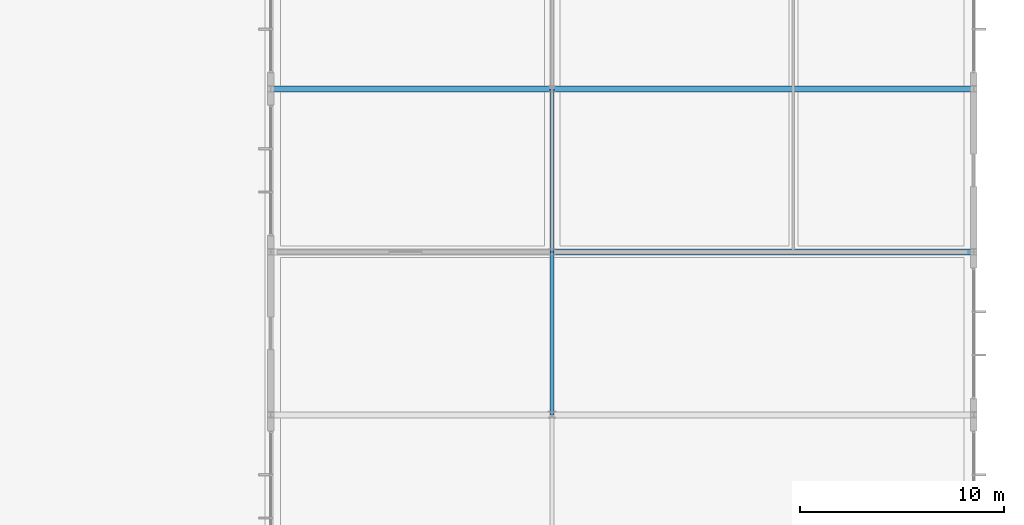
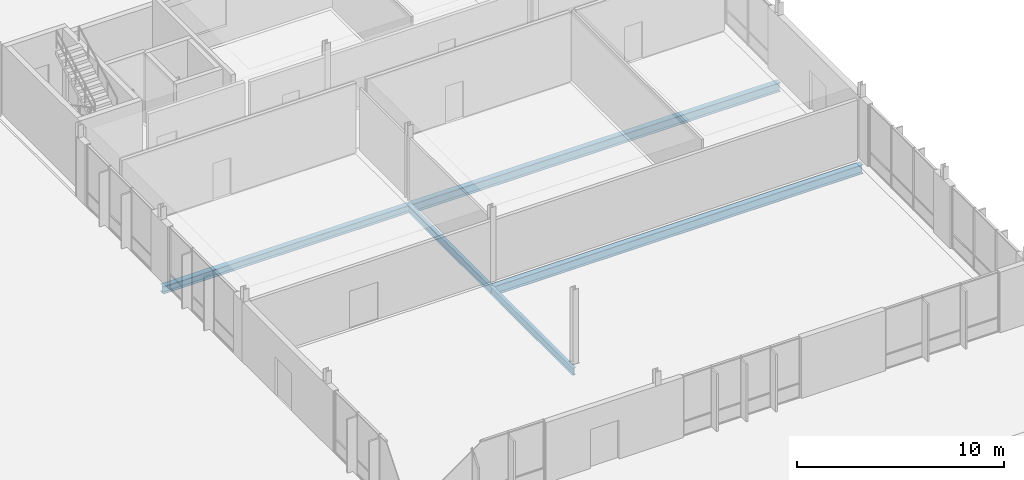
# One storey, part 156 of 233: 5 beams.
"""IFC4 building model written with IfcOpenShell, lengths in metres."""

from ifc_helpers import new_model, si_unit, direction, frame, origin, origin_2d, place, context, subcontext, project, spatial, i_section, extrude, material, material_profile, profile_set, type_object, element, save


model = new_model("IFC4")

# Units and contexts
model_context = context("Model", 3, precision=1e-05, world=origin(), true_north=direction((0.0, 1.0)))
body_context = subcontext(model_context, "Body", "Model", "MODEL_VIEW")
ifc_project = project(units=[si_unit("LENGTHUNIT", "METRE"), si_unit("AREAUNIT", "SQUARE_METRE"), si_unit("VOLUMEUNIT", "CUBIC_METRE"), si_unit("PLANEANGLEUNIT", "RADIAN"), si_unit("MASSUNIT", "GRAM", prefix="KILO")], contexts=[model_context])

# Site, building, storey
site_placement = place(None, origin())
site = spatial("IfcSite", under=ifc_project, at=site_placement, CompositionType="ELEMENT")
building_placement = place(site_placement, origin())
building = spatial("IfcBuilding", under=site, at=building_placement, Name="Zavelmont Quarter", CompositionType="ELEMENT")
storey_placement = place(building_placement, origin())
storey = spatial("IfcBuildingStorey", under=building, at=storey_placement, Name="L00", CompositionType="ELEMENT", Elevation=0.0)

# Beams
ifc_material = material(Name="Steel S355", Category="steel")
ifc_material_profile_1 = material_profile(ifc_material, i_section(OverallWidth=0.300048828125, OverallDepth=0.43994140625, WebThickness=0.011474609375, FlangeThickness=0.02099609375, at=origin_2d()), Name="HEA 450")
ifc_profile_set_1 = profile_set([ifc_material_profile_1], Name="Steel S355")
beam_type_1 = type_object("IfcBeamType", Name="BM10", PredefinedType="BEAM", material=ifc_profile_set_1)
beam_placement = place(storey_placement, frame((133.5, 62.0, -0.5400390625), z_axis=(1.0, 0.0, 0.0), x_axis=(0.0, 1.0, 0.0)))
element("IfcBeam", 1, at=beam_placement, inside=storey, type_object=beam_type_1, Name="L00 beam BM10 20/K to 22/K", PredefinedType="BEAM", context=body_context, shape_type="SweptSolid", body=[
    extrude(i_section(OverallWidth=0.300048828125, OverallDepth=0.43994140625, WebThickness=0.011474609375, FlangeThickness=0.02099609375, at=origin_2d()), origin(), (0.0, 0.0, 1.0), 13.800048828125),
])
ifc_material_profile_2 = material_profile(ifc_material, i_section(OverallWidth=0.300048828125, OverallDepth=0.5400390625, WebThickness=0.012451171875, FlangeThickness=0.02392578125, at=origin_2d()), Name="HEA 550")
ifc_profile_set_2 = profile_set([ifc_material_profile_2], Name="Steel S355")
beam_type_2 = type_object("IfcBeamType", Name="BM11", PredefinedType="BEAM", material=ifc_profile_set_2)
for number, where, z_axis, x_axis, name in (
    (2, (147.300048828125, 54.0, -0.590087890625), (1.0, 0.0, 0.0), (0.0, 1.0, 0.0), "L00 beam BM11 22/J to 25/J"),
    (3, (147.300048828125, 62.0, -0.590087890625), (1.0, 0.0, 0.0), (0.0, 1.0, 0.0), "L00 beam BM11 22/K to 25/K"),
):
    element("IfcBeam", number, at=place(storey_placement, frame(where, z_axis=z_axis, x_axis=x_axis)), inside=storey, type_object=beam_type_2, Name=name, PredefinedType="BEAM", context=body_context, shape_type="SweptSolid", body=[
        extrude(i_section(OverallWidth=0.300048828125, OverallDepth=0.5400390625, WebThickness=0.012451171875, FlangeThickness=0.02392578125, at=origin_2d()), origin(), (0.0, 0.0, 1.0), 20.699951171875),
    ])
ifc_material_profile_3 = material_profile(ifc_material, i_section(OverallWidth=0.18994140625, OverallDepth=0.449951171875, WebThickness=0.009521484375, FlangeThickness=0.0146484375, at=origin_2d()), Name="IPE 450")
ifc_profile_set_3 = profile_set([ifc_material_profile_3], Name="Steel S355")
beam_type_3 = type_object("IfcBeamType", Name="BM12", PredefinedType="BEAM", material=ifc_profile_set_3)
for number, where, z_axis, x_axis, name in (
    (4, (147.300048828125, 46.0, -0.544921875), (0.0, 1.0, 0.0), (-1.0, 0.0, 0.0), "L00 beam BM12 22/H to 22/J"),
    (5, (147.300048828125, 54.0, -0.544921875), (0.0, 1.0, 0.0), (-1.0, 0.0, 0.0), "L00 beam BM12 22/J to 22/K"),
):
    element("IfcBeam", number, at=place(storey_placement, frame(where, z_axis=z_axis, x_axis=x_axis)), inside=storey, type_object=beam_type_3, Name=name, PredefinedType="BEAM", context=body_context, shape_type="SweptSolid", body=[
        extrude(i_section(OverallWidth=0.18994140625, OverallDepth=0.449951171875, WebThickness=0.009521484375, FlangeThickness=0.0146484375, at=origin_2d()), origin(), (0.0, 0.0, 1.0), 8.0),
    ])

save(model, "model.ifc")
